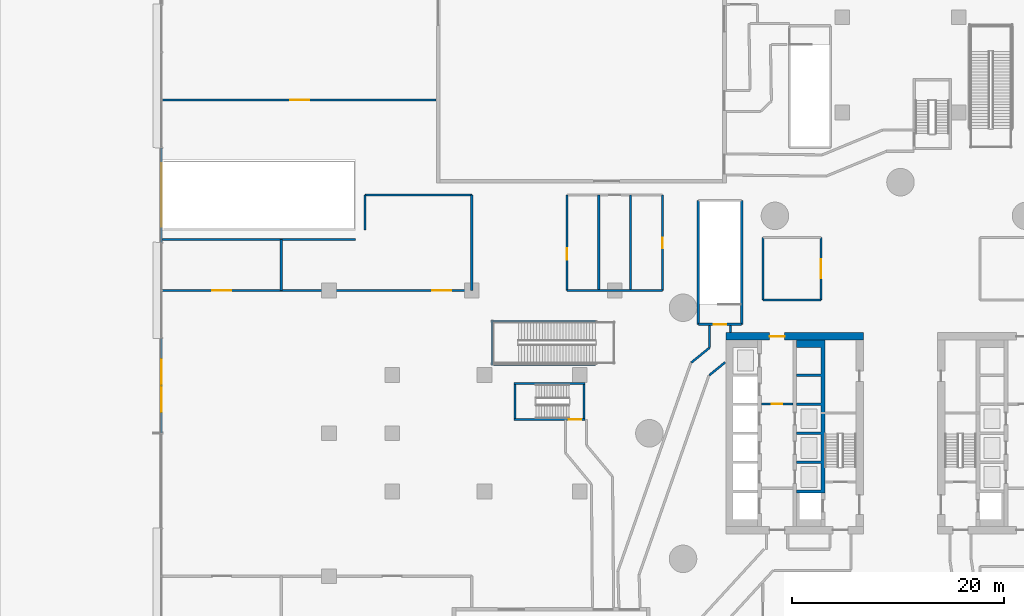
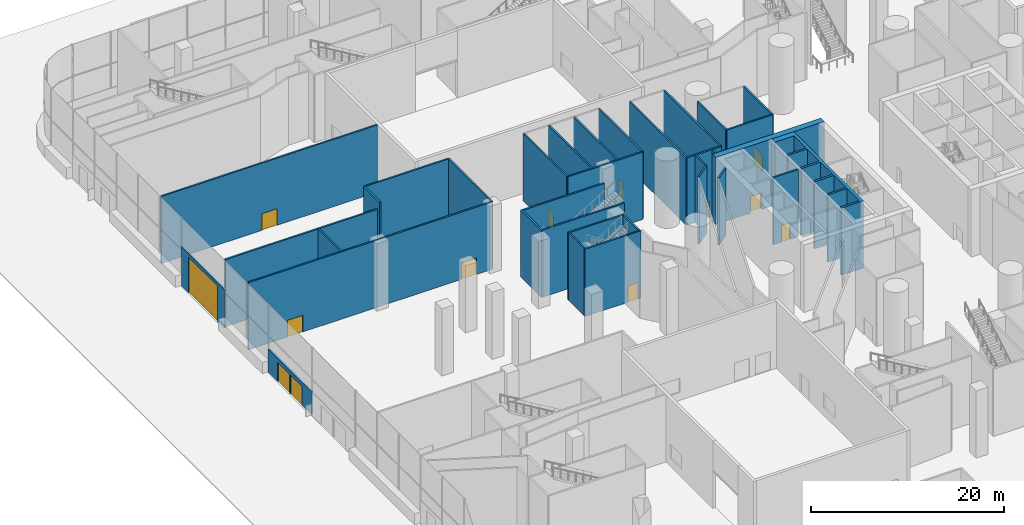
# One storey, part 27 of 54: 34 walls, 13 doors, 13 openings.
"""IFC4 building model written with IfcOpenShell, lengths in metres."""

from ifc_helpers import new_model, si_unit, direction, frame, frame_2d, origin, place, context, subcontext, project, spatial, polyline, rectangle, outline, extrude, material, layer, layer_set, type_object, element, fill, save


model = new_model("IFC4")

# Units and contexts
model_context = context("Model", 3, precision=1e-05, world=origin(), true_north=direction((0.0, 1.0)))
body_context = subcontext(model_context, "Body", "Model", "MODEL_VIEW")
ifc_project = project(units=[si_unit("LENGTHUNIT", "METRE"), si_unit("AREAUNIT", "SQUARE_METRE"), si_unit("VOLUMEUNIT", "CUBIC_METRE"), si_unit("PLANEANGLEUNIT", "RADIAN"), si_unit("MASSUNIT", "GRAM", prefix="KILO")], contexts=[model_context])

# Site, building, storey
site_placement = place(None, origin())
site = spatial("IfcSite", under=ifc_project, at=site_placement, CompositionType="ELEMENT")
building_placement = place(site_placement, origin())
building = spatial("IfcBuilding", under=site, at=building_placement, Name="Tamarind Cross Interchange Tower", CompositionType="ELEMENT")
storey_placement = place(building_placement, origin())
storey = spatial("IfcBuildingStorey", under=building, at=storey_placement, Name="L00", CompositionType="ELEMENT", Elevation=0.0)

# Wall, opening, door
ifc_material_1 = material(Name="Concrete C80", Category="concrete")
ifc_layer_1 = layer(ifc_material_1, 0.699951171875)
ifc_layer_set_1 = layer_set([ifc_layer_1], Name="Concrete C80")
wall_type_1 = type_object("IfcWallType", Name="Core wall 700 mm Concrete C80", PredefinedType="SHEAR", material=ifc_layer_set_1)
wall_1_placement = place(storey_placement, frame((-16.5, 9.14990234375, 0.0), z_axis=(0.0, 0.0, 1.0), x_axis=(1.0, 0.0, 0.0)))
wall_1 = element("IfcWall", 1, at=wall_1_placement, inside=storey, type_object=wall_type_1, Name="Core wall CWL-L00-W-N", PredefinedType="SHEAR", context=body_context, shape_type="SweptSolid", body=[
    extrude(rectangle(XDim=13.0, YDim=0.699951171875, at=frame_2d((6.5, 0.0))), origin(), (0.0, 0.0, 1.0), 8.5),
])
opening_1_placement = place(wall_1_placement, frame((4.14990234375, 0.0, 0.0)))
opening_1 = element("IfcOpeningElement", 2, at=opening_1_placement, cuts=wall_1, Name="Opening DCW3", PredefinedType="OPENING", context=body_context, shape_type="SweptSolid", body=[
    extrude(rectangle(XDim=1.39990234375, YDim=2.10009765625, at=frame_2d((0.699951171875, 1.050048828125))), frame((0.0, 0.35986328125, 0.0), z_axis=(0.0, -1.0, 0.0), x_axis=(1.0, 0.0, 0.0)), (0.0, 0.0, 1.0), 0.719970703125),
])
ifc_material_2 = material(Name="Steel, fire-resisting", Category="steel")
door_type_1 = type_object("IfcDoorType", Name="Core fire door 1400 x 2100 FD90", OperationType="SINGLE_SWING_LEFT", PredefinedType="DOOR", material=ifc_material_2)
door_1_placement = place(opening_1_placement, origin())
door_1 = element("IfcDoor", 3, at=door_1_placement, inside=storey, type_object=door_type_1, Name="L00 observation lobby door", OperationType="SINGLE_SWING_LEFT", OverallHeight=2.10009765625, OverallWidth=1.39990234375, PredefinedType="DOOR", context=body_context, shape_type="SweptSolid", body=[
    extrude(rectangle(XDim=1.39990234375, YDim=2.10009765625, at=frame_2d((0.699951171875, 1.050048828125))), frame((0.0, 0.02490234375, 0.0), z_axis=(0.0, -1.0, 0.0), x_axis=(1.0, 0.0, 0.0)), (0.0, 0.0, 1.0), 0.050048828125),
])
fill(opening_1, door_1)

# Wall
ifc_layer_2 = layer(ifc_material_1, 0.35009765625)
ifc_layer_set_2 = layer_set([ifc_layer_2], Name="Concrete C80")
wall_type_2 = type_object("IfcWallType", Name="Core web wall 350 mm Concrete C80", PredefinedType="SHEAR", material=ifc_layer_set_2)
wall_2_placement = place(storey_placement, origin())
element("IfcWall", 4, at=wall_2_placement, inside=storey, type_object=wall_type_2, Name="Core wall CWL-L00-W-BN", PredefinedType="SHEAR", context=body_context, shape_type="SweptSolid", body=[
    extrude(outline(polyline([(-9.800048828125, -5.375), (-9.800048828125, -5.625), (-7.5, -5.625), (-7.14990234375, -5.625), (-7.14990234375, 8.800048828125), (-7.5, 8.800048828125), (-9.800048828125, 8.800048828125), (-9.800048828125, 8.125), (-7.5, 8.125), (-7.5, 5.625), (-9.800048828125, 5.625), (-9.800048828125, 5.375), (-7.5, 5.375), (-7.5, 2.875), (-9.800048828125, 2.875), (-9.800048828125, 2.625), (-7.5, 2.625), (-7.5, 0.125), (-9.800048828125, 0.125), (-9.800048828125, -0.125), (-7.5, -0.125), (-7.5, -2.625), (-9.800048828125, -2.625), (-9.800048828125, -2.875), (-7.5, -2.875), (-7.5, -5.375), (-9.800048828125, -5.375)])), origin(), (0.0, 0.0, 1.0), 8.5),
])

# Wall, openings, doors
ifc_material_3 = material(Name="Masonry partition, fire-rated", Category="masonry")
ifc_layer_3 = layer(ifc_material_3, 0.199951171875)
ifc_layer_set_3 = layer_set([ifc_layer_3], Name="Masonry partition, fire-rated")
wall_type_3 = type_object("IfcWallType", Name="Fire partition 200 EI 120", PredefinedType="PARTITIONING", material=ifc_layer_set_3)
wall_3_placement = place(storey_placement, frame((-69.698974609375, 13.5, 0.0), z_axis=(0.0, 0.0, 1.0), x_axis=(1.0, 0.0, 0.0)))
wall_3 = element("IfcWall", 5, at=wall_3_placement, inside=storey, type_object=wall_type_3, Name="L00 partition 63", PredefinedType="PARTITIONING", context=body_context, shape_type="SweptSolid", body=[
    extrude(rectangle(XDim=29.198974609375, YDim=0.199951171875, at=frame_2d((14.599609375, 0.0))), origin(), (0.0, 0.0, 1.0), 8.5),
])
opening_2_placement = place(wall_3_placement, frame((25.47412109375, 0.0, 0.0)))
opening_2 = element("IfcOpeningElement", 6, at=opening_2_placement, cuts=wall_3, Name="Opening DL00-21", PredefinedType="OPENING", context=body_context, shape_type="SweptSolid", body=[
    extrude(rectangle(XDim=1.800048828125, YDim=2.10009765625, at=frame_2d((0.89990234375, 1.050048828125))), frame((0.0, 0.10986328125, 0.0), z_axis=(0.0, -1.0, 0.0), x_axis=(1.0, 0.0, 0.0)), (0.0, 0.0, 1.0), 0.219970703125),
])
opening_3_placement = place(wall_3_placement, frame((4.698974609375, 0.0, 0.0)))
opening_3 = element("IfcOpeningElement", 7, at=opening_3_placement, cuts=wall_3, Name="Opening DL00-22", PredefinedType="OPENING", context=body_context, shape_type="SweptSolid", body=[
    extrude(rectangle(XDim=1.800048828125, YDim=2.10009765625, at=frame_2d((0.89990234375, 1.050048828125))), frame((0.0, 0.10986328125, 0.0), z_axis=(0.0, -1.0, 0.0), x_axis=(1.0, 0.0, 0.0)), (0.0, 0.0, 1.0), 0.219970703125),
])
door_type_2 = type_object("IfcDoorType", Name="Podium door 1800 x 2100 FD60", OperationType="SINGLE_SWING_LEFT", PredefinedType="DOOR", material=ifc_material_2)
door_2_placement = place(opening_2_placement, origin())
door_2 = element("IfcDoor", 8, at=door_2_placement, inside=storey, type_object=door_type_2, Name="L00 door Bakery 0004", OperationType="SINGLE_SWING_LEFT", OverallHeight=2.10009765625, OverallWidth=1.800048828125, PredefinedType="DOOR", context=body_context, shape_type="SweptSolid", body=[
    extrude(rectangle(XDim=1.800048828125, YDim=2.10009765625, at=frame_2d((0.89990234375, 1.050048828125))), frame((0.0, 0.02490234375, 0.0), z_axis=(0.0, -1.0, 0.0), x_axis=(1.0, 0.0, 0.0)), (0.0, 0.0, 1.0), 0.050048828125),
])
fill(opening_2, door_2)
door_3_placement = place(opening_3_placement, origin())
door_3 = element("IfcDoor", 9, at=door_3_placement, inside=storey, type_object=door_type_2, Name="L00 door Phone Shop 0005", OperationType="SINGLE_SWING_RIGHT", OverallHeight=2.10009765625, OverallWidth=1.800048828125, PredefinedType="DOOR", context=body_context, shape_type="SweptSolid", body=[
    extrude(rectangle(XDim=1.800048828125, YDim=2.10009765625, at=frame_2d((0.89990234375, 1.050048828125))), frame((0.0, 0.02490234375, 0.0), z_axis=(0.0, -1.0, 0.0), x_axis=(1.0, 0.0, 0.0)), (0.0, 0.0, 1.0), 0.050048828125),
])
fill(opening_3, door_3)

# Wall
wall_4_placement = place(storey_placement, frame((-69.698974609375, 18.300048828125, 0.0), z_axis=(0.0, 0.0, 1.0), x_axis=(1.0, 0.0, 0.0)))
element("IfcWall", 10, at=wall_4_placement, inside=storey, type_object=wall_type_3, Name="L00 partition 64", PredefinedType="PARTITIONING", context=body_context, shape_type="SweptSolid", body=[
    extrude(rectangle(XDim=18.198974609375, YDim=0.199951171875, at=frame_2d((9.099609375, 0.0))), origin(), (0.0, 0.0, 1.0), 8.5),
])

# Wall, opening, door
wall_5_placement = place(storey_placement, frame((-69.698974609375, 31.5, 0.0), z_axis=(0.0, 0.0, 1.0), x_axis=(1.0, 0.0, 0.0)))
wall_5 = element("IfcWall", 11, at=wall_5_placement, inside=storey, type_object=wall_type_3, Name="L00 partition 65", PredefinedType="PARTITIONING", context=body_context, shape_type="SweptSolid", body=[
    extrude(rectangle(XDim=25.819091796875, YDim=0.199951171875, at=frame_2d((12.90966796875, 0.0))), origin(), (0.0, 0.0, 1.0), 8.5),
])
opening_4_placement = place(wall_5_placement, frame((12.033935546875, 0.0, 0.0)))
opening_4 = element("IfcOpeningElement", 12, at=opening_4_placement, cuts=wall_5, Name="Opening DL00-23", PredefinedType="OPENING", context=body_context, shape_type="SweptSolid", body=[
    extrude(rectangle(XDim=1.800048828125, YDim=2.10009765625, at=frame_2d((0.89990234375, 1.050048828125))), frame((0.0, 0.10986328125, 0.0), z_axis=(0.0, -1.0, 0.0), x_axis=(1.0, 0.0, 0.0)), (0.0, 0.0, 1.0), 0.219970703125),
])
door_4_placement = place(opening_4_placement, origin())
door_4 = element("IfcDoor", 13, at=door_4_placement, inside=storey, type_object=door_type_2, Name="L00 door Newsagent 0007", OperationType="SINGLE_SWING_LEFT", OverallHeight=2.10009765625, OverallWidth=1.800048828125, PredefinedType="DOOR", context=body_context, shape_type="SweptSolid", body=[
    extrude(rectangle(XDim=1.800048828125, YDim=2.10009765625, at=frame_2d((0.89990234375, 1.050048828125))), frame((0.0, 0.02490234375, 0.0), z_axis=(0.0, -1.0, 0.0), x_axis=(1.0, 0.0, 0.0)), (0.0, 0.0, 1.0), 0.050048828125),
])
fill(opening_4, door_4)

# Walls
wall_6_placement = place(storey_placement, frame((-50.60009765625, 19.199951171875, 0.0), z_axis=(0.0, 0.0, 1.0), x_axis=(0.0, 1.0, 0.0)))
element("IfcWall", 14, at=wall_6_placement, inside=storey, type_object=wall_type_3, Name="L00 partition 69", PredefinedType="PARTITIONING", context=body_context, shape_type="SweptSolid", body=[
    extrude(rectangle(XDim=3.300048828125, YDim=0.199951171875, at=frame_2d((1.64990234375, 0.0))), origin(), (0.0, 0.0, 1.0), 8.5),
])
wall_7_placement = place(storey_placement, frame((-50.60009765625, 22.5, 0.0), z_axis=(0.0, 0.0, 1.0), x_axis=(1.0, 0.0, 0.0)))
element("IfcWall", 15, at=wall_7_placement, inside=storey, type_object=wall_type_3, Name="L00 partition 70", PredefinedType="PARTITIONING", context=body_context, shape_type="SweptSolid", body=[
    extrude(rectangle(XDim=10.10009765625, YDim=0.199951171875, at=frame_2d((5.050048828125, 0.0))), origin(), (0.0, 0.0, 1.0), 8.5),
])
wall_8_placement = place(storey_placement, frame((-40.5, 13.5, 0.0), z_axis=(0.0, 0.0, 1.0), x_axis=(0.0, 1.0, 0.0)))
element("IfcWall", 16, at=wall_8_placement, inside=storey, type_object=wall_type_3, Name="L00 partition 71", PredefinedType="PARTITIONING", context=body_context, shape_type="SweptSolid", body=[
    extrude(rectangle(XDim=9.0, YDim=0.199951171875, at=frame_2d((4.5, 0.0))), origin(), (0.0, 0.0, 1.0), 8.5),
])
wall_9_placement = place(storey_placement, frame((-58.5, 13.5, 0.0), z_axis=(0.0, 0.0, 1.0), x_axis=(0.0, 1.0, 0.0)))
element("IfcWall", 17, at=wall_9_placement, inside=storey, type_object=wall_type_3, Name="L00 partition 72", PredefinedType="PARTITIONING", context=body_context, shape_type="SweptSolid", body=[
    extrude(rectangle(XDim=4.800048828125, YDim=0.199951171875, at=frame_2d((2.39990234375, 0.0))), origin(), (0.0, 0.0, 1.0), 8.5),
])
ifc_layer_4 = layer(ifc_material_3, 0.199951171875)
ifc_layer_set_4 = layer_set([ifc_layer_4], Name="Masonry partition, fire-rated")
wall_type_4 = type_object("IfcWallType", Name="Fire partition 200 EI 90", PredefinedType="PARTITIONING", material=ifc_layer_set_4)
for number, where, z_axis, x_axis, name in (
    (18, (-31.5, 13.5, 0.0), (0.0, 0.0, 1.0), (1.0, 0.0, 0.0), "L00 partition 82"),
    (19, (-28.5, 13.5, 0.0), (0.0, 0.0, 1.0), (0.0, 1.0, 0.0), "L00 partition 83"),
):
    element("IfcWall", number, at=place(storey_placement, frame(where, z_axis=z_axis, x_axis=x_axis)), inside=storey, type_object=wall_type_4, Name=name, PredefinedType="PARTITIONING", context=body_context, shape_type="SweptSolid", body=[
        extrude(rectangle(XDim=9.0, YDim=0.199951171875, at=frame_2d((4.5, 0.0))), origin(), (0.0, 0.0, 1.0), 8.5),
    ])

# Wall, opening, door
wall_10_placement = place(storey_placement, frame((-31.5, 13.5, 0.0), z_axis=(0.0, 0.0, 1.0), x_axis=(0.0, 1.0, 0.0)))
wall_10 = element("IfcWall", 20, at=wall_10_placement, inside=storey, type_object=wall_type_4, Name="L00 partition 84", PredefinedType="PARTITIONING", context=body_context, shape_type="SweptSolid", body=[
    extrude(rectangle(XDim=9.0, YDim=0.199951171875, at=frame_2d((4.5, 0.0))), origin(), (0.0, 0.0, 1.0), 8.5),
])
opening_5_placement = place(wall_10_placement, frame((2.87744140625, 0.0, 0.0)))
opening_5 = element("IfcOpeningElement", 21, at=opening_5_placement, cuts=wall_10, Name="Opening DL00-20", PredefinedType="OPENING", context=body_context, shape_type="SweptSolid", body=[
    extrude(rectangle(XDim=1.10009765625, YDim=2.10009765625, at=frame_2d((0.550048828125, 1.050048828125))), frame((0.0, 0.10986328125, 0.0), z_axis=(0.0, -1.0, 0.0), x_axis=(1.0, 0.0, 0.0)), (0.0, 0.0, 1.0), 0.219970703125),
])
door_type_3 = type_object("IfcDoorType", Name="Podium door 1100 x 2100 FD60", OperationType="SINGLE_SWING_LEFT", PredefinedType="DOOR", material=ifc_material_2)
door_5_placement = place(opening_5_placement, origin())
door_5 = element("IfcDoor", 22, at=door_5_placement, inside=storey, type_object=door_type_3, Name="L00 door Accessible Toilet L00NW", OperationType="SINGLE_SWING_RIGHT", OverallHeight=2.10009765625, OverallWidth=1.10009765625, PredefinedType="DOOR", context=body_context, shape_type="SweptSolid", body=[
    extrude(rectangle(XDim=1.10009765625, YDim=2.10009765625, at=frame_2d((0.550048828125, 1.050048828125))), frame((0.0, 0.02490234375, 0.0), z_axis=(0.0, -1.0, 0.0), x_axis=(1.0, 0.0, 0.0)), (0.0, 0.0, 1.0), 0.050048828125),
])
fill(opening_5, door_5)

wall_11_placement = place(storey_placement, frame((-22.5, 13.5, 0.0), z_axis=(0.0, 0.0, 1.0), x_axis=(0.0, 1.0, 0.0)))
wall_11 = element("IfcWall", 23, at=wall_11_placement, inside=storey, type_object=wall_type_4, Name="L00 partition 89", PredefinedType="PARTITIONING", context=body_context, shape_type="SweptSolid", body=[
    extrude(rectangle(XDim=9.0, YDim=0.199951171875, at=frame_2d((4.5, 0.0))), origin(), (0.0, 0.0, 1.0), 8.5),
])
opening_6_placement = place(wall_11_placement, frame((3.989990234375, 0.0, 0.0)))
opening_6 = element("IfcOpeningElement", 24, at=opening_6_placement, cuts=wall_11, Name="Opening DL00-18", PredefinedType="OPENING", context=body_context, shape_type="SweptSolid", body=[
    extrude(rectangle(XDim=1.0, YDim=2.10009765625, at=frame_2d((0.5, 1.050048828125))), frame((0.0, 0.10986328125, 0.0), z_axis=(0.0, -1.0, 0.0), x_axis=(1.0, 0.0, 0.0)), (0.0, 0.0, 1.0), 0.219970703125),
])
door_type_4 = type_object("IfcDoorType", Name="Podium door 1000 x 2100 FD60", OperationType="SINGLE_SWING_LEFT", PredefinedType="DOOR", material=ifc_material_2)
door_6_placement = place(opening_6_placement, origin())
door_6 = element("IfcDoor", 25, at=door_6_placement, inside=storey, type_object=door_type_4, Name="L00 door Women's Toilets L00NW", OperationType="SINGLE_SWING_RIGHT", OverallHeight=2.10009765625, OverallWidth=1.0, PredefinedType="DOOR", context=body_context, shape_type="SweptSolid", body=[
    extrude(rectangle(XDim=1.0, YDim=2.10009765625, at=frame_2d((0.5, 1.050048828125))), frame((0.0, 0.02490234375, 0.0), z_axis=(0.0, -1.0, 0.0), x_axis=(1.0, 0.0, 0.0)), (0.0, 0.0, 1.0), 0.050048828125),
])
fill(opening_6, door_6)

# Wall
wall_12_placement = place(storey_placement, frame((-25.5, 13.5, 0.0), z_axis=(0.0, 0.0, 1.0), x_axis=(0.0, 1.0, 0.0)))
element("IfcWall", 26, at=wall_12_placement, inside=storey, type_object=wall_type_4, Name="L00 partition 90", PredefinedType="PARTITIONING", context=body_context, shape_type="SweptSolid", body=[
    extrude(rectangle(XDim=9.0, YDim=0.199951171875, at=frame_2d((4.5, 0.0))), origin(), (0.0, 0.0, 1.0), 8.5),
])

# Wall, opening, door
wall_13_placement = place(storey_placement, frame((-7.5, 12.60009765625, 0.0), z_axis=(0.0, 0.0, 1.0), x_axis=(0.0, 1.0, 0.0)))
wall_13 = element("IfcWall", 27, at=wall_13_placement, inside=storey, type_object=wall_type_4, Name="L00 partition 104", PredefinedType="PARTITIONING", context=body_context, shape_type="SweptSolid", body=[
    extrude(rectangle(XDim=5.89990234375, YDim=0.199951171875, at=frame_2d((2.949951171875, 0.0))), origin(), (0.0, 0.0, 1.0), 8.5),
])
opening_7_placement = place(wall_13_placement, frame((2.050048828125, 0.0, 0.0)))
opening_7 = element("IfcOpeningElement", 28, at=opening_7_placement, cuts=wall_13, Name="Opening DL00-33", PredefinedType="OPENING", context=body_context, shape_type="SweptSolid", body=[
    extrude(rectangle(XDim=1.800048828125, YDim=2.10009765625, at=frame_2d((0.89990234375, 1.050048828125))), frame((0.0, 0.10986328125, 0.0), z_axis=(0.0, -1.0, 0.0), x_axis=(1.0, 0.0, 0.0)), (0.0, 0.0, 1.0), 0.219970703125),
])
door_7_placement = place(opening_7_placement, origin())
door_7 = element("IfcDoor", 29, at=door_7_placement, inside=storey, type_object=door_type_2, Name="L00 door Office Tower Lobby", OperationType="SINGLE_SWING_LEFT", OverallHeight=2.10009765625, OverallWidth=1.800048828125, PredefinedType="DOOR", context=body_context, shape_type="SweptSolid", body=[
    extrude(rectangle(XDim=1.800048828125, YDim=2.10009765625, at=frame_2d((0.89990234375, 1.050048828125))), frame((0.0, 0.02490234375, 0.0), z_axis=(0.0, -1.0, 0.0), x_axis=(1.0, 0.0, 0.0)), (0.0, 0.0, 1.0), 0.050048828125),
])
fill(opening_7, door_7)

# Walls
wall_14_placement = place(storey_placement, frame((-13.0, 12.60009765625, 0.0), z_axis=(0.0, 0.0, 1.0), x_axis=(1.0, 0.0, 0.0)))
element("IfcWall", 30, at=wall_14_placement, inside=storey, type_object=wall_type_4, Name="L00 partition 105", PredefinedType="PARTITIONING", context=body_context, shape_type="SweptSolid", body=[
    extrude(rectangle(XDim=5.5, YDim=0.199951171875, at=frame_2d((2.75, 0.0))), origin(), (0.0, 0.0, 1.0), 8.5),
])
wall_15_placement = place(storey_placement, frame((-13.0, 12.60009765625, 0.0), z_axis=(0.0, 0.0, 1.0), x_axis=(0.0, 1.0, 0.0)))
element("IfcWall", 31, at=wall_15_placement, inside=storey, type_object=wall_type_4, Name="L00 partition 106", PredefinedType="PARTITIONING", context=body_context, shape_type="SweptSolid", body=[
    extrude(rectangle(XDim=5.89990234375, YDim=0.199951171875, at=frame_2d((2.949951171875, 0.0))), origin(), (0.0, 0.0, 1.0), 8.5),
])

# Wall, opening, door
ifc_material_4 = material(Name="Precast concrete C40", Category="concrete")
ifc_layer_5 = layer(ifc_material_4, 0.35009765625)
ifc_layer_set_5 = layer_set([ifc_layer_5], Name="Precast concrete C40")
wall_type_5 = type_object("IfcWallType", Name="Podium facade wall", PredefinedType="SOLIDWALL", material=ifc_layer_set_5)
wall_16_placement = place(storey_placement, frame((-69.800048828125, 26.9521484375, 0.0), z_axis=(0.0, 0.0, 1.0), x_axis=(0.0, -1.0, 0.0)))
wall_16 = element("IfcWall", 32, at=wall_16_placement, inside=storey, type_object=wall_type_5, Name="EXW-L00-04-D06", PredefinedType="SOLIDWALL", context=body_context, shape_type="SweptSolid", body=[
    extrude(rectangle(XDim=8.91748046875, YDim=0.199951171875, at=frame_2d((4.458740234375, 0.0))), origin(), (0.0, 0.0, 1.0), 4.89990234375),
])
opening_8_placement = place(wall_16_placement, frame((1.458740234375, 0.0, 0.0)))
opening_8 = element("IfcOpeningElement", 33, at=opening_8_placement, cuts=wall_16, Name="Opening D8", PredefinedType="OPENING", context=body_context, shape_type="SweptSolid", body=[
    extrude(rectangle(XDim=6.0, YDim=4.5, at=frame_2d((3.0, 2.25))), frame((0.0, 0.10986328125, 0.0), z_axis=(0.0, -1.0, 0.0), x_axis=(1.0, 0.0, 0.0)), (0.0, 0.0, 1.0), 0.219970703125),
])
ifc_material_5 = material(Name="Galvanised steel", Category="steel")
door_type_5 = type_object("IfcDoorType", Name="Vehicle roller shutter", OperationType="ROLLINGUP", PredefinedType="DOOR", material=ifc_material_5)
door_8_placement = place(opening_8_placement, origin())
door_8 = element("IfcDoor", 34, at=door_8_placement, inside=storey, type_object=door_type_5, Name="DOR-L00-04-06", OperationType="SINGLE_SWING_LEFT", OverallHeight=4.5, OverallWidth=6.0, PredefinedType="DOOR", context=body_context, shape_type="SweptSolid", body=[
    extrude(rectangle(XDim=6.0, YDim=4.5, at=frame_2d((3.0, 2.25))), frame((0.0, 0.02490234375, 0.0), z_axis=(0.0, -1.0, 0.0), x_axis=(1.0, 0.0, 0.0)), (0.0, 0.0, 1.0), 0.050048828125),
])
fill(opening_8, door_8)

# Wall, openings, doors
wall_17_placement = place(storey_placement, frame((-69.800048828125, 8.957275390625, 0.0), z_axis=(0.0, 0.0, 1.0), x_axis=(0.0, -1.0, 0.0)))
wall_17 = element("IfcWall", 35, at=wall_17_placement, inside=storey, type_object=wall_type_5, Name="EXW-L00-04-D10", PredefinedType="SOLIDWALL", context=body_context, shape_type="SweptSolid", body=[
    extrude(rectangle(XDim=8.917236328125, YDim=0.199951171875, at=frame_2d((4.45849609375, 0.0))), origin(), (0.0, 0.0, 1.0), 2.89990234375),
])
opening_9_placement = place(wall_17_placement, frame((1.958740234375, 0.0, 0.0)))
opening_9 = element("IfcOpeningElement", 36, at=opening_9_placement, cuts=wall_17, Name="Opening D1", PredefinedType="OPENING", context=body_context, shape_type="SweptSolid", body=[
    extrude(rectangle(XDim=2.39990234375, YDim=2.39990234375, at=frame_2d((1.199951171875, 1.199951171875))), frame((0.0, 0.10986328125, 0.0), z_axis=(0.0, -1.0, 0.0), x_axis=(1.0, 0.0, 0.0)), (0.0, 0.0, 1.0), 0.219970703125),
])
opening_10_placement = place(wall_17_placement, frame((4.55859375, 0.0, 0.0)))
opening_10 = element("IfcOpeningElement", 37, at=opening_10_placement, cuts=wall_17, Name="Opening D1", PredefinedType="OPENING", context=body_context, shape_type="SweptSolid", body=[
    extrude(rectangle(XDim=2.39990234375, YDim=2.39990234375, at=frame_2d((1.199951171875, 1.199951171875))), frame((0.0, 0.10986328125, 0.0), z_axis=(0.0, -1.0, 0.0), x_axis=(1.0, 0.0, 0.0)), (0.0, 0.0, 1.0), 0.219970703125),
])
ifc_material_6 = material(Name="Toughened glass and aluminium", Category="aluminium")
door_type_6 = type_object("IfcDoorType", Name="Station entrance door", OperationType="DOUBLE_DOOR_DOUBLE_SWING", PredefinedType="DOOR", material=ifc_material_6)
door_9_placement = place(opening_9_placement, frame((2.39990234375, 0.0, 0.0), z_axis=(0.0, 0.0, 1.0), x_axis=(-1.0, 0.0, 0.0)))
door_9 = element("IfcDoor", 38, at=door_9_placement, inside=storey, type_object=door_type_6, Name="DOR-L00-04-10A", OperationType="DOUBLE_DOOR_DOUBLE_SWING", OverallHeight=2.39990234375, OverallWidth=2.39990234375, PredefinedType="DOOR", context=body_context, shape_type="SweptSolid", body=[
    extrude(rectangle(XDim=2.39990234375, YDim=2.39990234375, at=frame_2d((1.199951171875, 1.199951171875))), frame((0.0, 0.02490234375, 0.0), z_axis=(0.0, -1.0, 0.0), x_axis=(1.0, 0.0, 0.0)), (0.0, 0.0, 1.0), 0.050048828125),
])
fill(opening_9, door_9)
door_10_placement = place(opening_10_placement, frame((2.39990234375, 0.0, 0.0), z_axis=(0.0, 0.0, 1.0), x_axis=(-1.0, 0.0, 0.0)))
door_10 = element("IfcDoor", 39, at=door_10_placement, inside=storey, type_object=door_type_6, Name="DOR-L00-04-10B", OperationType="DOUBLE_DOOR_DOUBLE_SWING", OverallHeight=2.39990234375, OverallWidth=2.39990234375, PredefinedType="DOOR", context=body_context, shape_type="SweptSolid", body=[
    extrude(rectangle(XDim=2.39990234375, YDim=2.39990234375, at=frame_2d((1.199951171875, 1.199951171875))), frame((0.0, 0.02490234375, 0.0), z_axis=(0.0, -1.0, 0.0), x_axis=(1.0, 0.0, 0.0)), (0.0, 0.0, 1.0), 0.050048828125),
])
fill(opening_10, door_10)

# Walls
ifc_material_7 = material(Name="Concrete C40", Category="concrete")
ifc_layer_6 = layer(ifc_material_7, 0.199951171875)
ifc_layer_set_6 = layer_set([ifc_layer_6], Name="Concrete C40")
wall_type_6 = type_object("IfcWallType", Name="Protected passage wall 200 EI 180", PredefinedType="PARTITIONING", material=ifc_layer_set_6)
wall_18_placement = place(storey_placement, frame((-16.050048828125, 10.179931640625, 0.0), z_axis=(0.0, 0.0, 1.0), x_axis=(0.0, -1.0, 0.0)))
element("IfcWall", 40, at=wall_18_placement, inside=storey, type_object=wall_type_6, Name="L00 passage wall 233", PredefinedType="PARTITIONING", context=body_context, shape_type="SweptSolid", body=[
    extrude(rectangle(XDim=0.679931640625, YDim=0.199951171875, at=frame_2d((0.33984375, 0.0))), origin(), (0.0, 0.0, 1.0), 8.5),
])
wall_19_placement = place(storey_placement, frame((-16.569580078125, 6.701171875, 0.0), z_axis=(0.0, 0.0, 1.0), x_axis=(-0.774917348383, -0.632062578527, 0.0)))
element("IfcWall", 41, at=wall_19_placement, inside=storey, type_object=wall_type_6, Name="L00 passage wall 234", PredefinedType="PARTITIONING", context=body_context, shape_type="SweptSolid", body=[
    extrude(rectangle(XDim=1.92431640625, YDim=0.199951171875, at=frame_2d((0.962158203125, 0.0))), origin(), (0.0, 0.0, 1.0), 8.5),
])
wall_20_placement = place(storey_placement, frame((-18.050048828125, 10.179931640625, 0.0), z_axis=(0.0, 0.0, 1.0), x_axis=(0.0, -1.0, 0.0)))
element("IfcWall", 42, at=wall_20_placement, inside=storey, type_object=wall_type_6, Name="L00 passage wall 237", PredefinedType="PARTITIONING", context=body_context, shape_type="SweptSolid", body=[
    extrude(rectangle(XDim=2.05517578125, YDim=0.199951171875, at=frame_2d((1.027587890625, 0.0))), origin(), (0.0, 0.0, 1.0), 8.5),
])
wall_21_placement = place(storey_placement, frame((-18.050048828125, 8.07470703125, 0.0), z_axis=(0.0, 0.0, 1.0), x_axis=(-0.774892088392, -0.632093546358, 0.0)))
element("IfcWall", 43, at=wall_21_placement, inside=storey, type_object=wall_type_6, Name="L00 passage wall 238", PredefinedType="PARTITIONING", context=body_context, shape_type="SweptSolid", body=[
    extrude(rectangle(XDim=2.208984375, YDim=0.199951171875, at=frame_2d((1.1044921875, 0.0))), origin(), (0.0, 0.0, 1.0), 8.5),
])

# Wall, opening, door
ifc_layer_7 = layer(ifc_material_7, 0.199951171875)
ifc_layer_set_7 = layer_set([ifc_layer_7], Name="Concrete C40")
wall_type_7 = type_object("IfcWallType", Name="Shaft and lobby wall 200 mm Concrete C40", PredefinedType="PARTITIONING", material=ifc_layer_set_7)
wall_22_placement = place(storey_placement, frame((-13.14990234375, 2.75, 0.0), z_axis=(0.0, 0.0, 1.0), x_axis=(1.0, 0.0, 0.0)))
wall_22 = element("IfcWall", 44, at=wall_22_placement, inside=storey, type_object=wall_type_7, Name="Shaft wall CWL-L00-W-OBS", PredefinedType="PARTITIONING", context=body_context, shape_type="SweptSolid", body=[
    extrude(rectangle(XDim=3.0, YDim=0.199951171875, at=frame_2d((1.5, 0.0))), origin(), (0.0, 0.0, 1.0), 8.5),
])
opening_11_placement = place(wall_22_placement, frame((1.0, 0.0, 0.0)))
opening_11 = element("IfcOpeningElement", 45, at=opening_11_placement, cuts=wall_22, Name="Opening DCW32", PredefinedType="OPENING", context=body_context, shape_type="SweptSolid", body=[
    extrude(rectangle(XDim=1.0, YDim=2.10009765625, at=frame_2d((0.5, 1.050048828125))), frame((0.0, 0.10986328125, 0.0), z_axis=(0.0, -1.0, 0.0), x_axis=(1.0, 0.0, 0.0)), (0.0, 0.0, 1.0), 0.219970703125),
])
door_type_7 = type_object("IfcDoorType", Name="Core fire door 1000 x 2100 FD90", OperationType="SINGLE_SWING_LEFT", PredefinedType="DOOR", material=ifc_material_2)
door_11_placement = place(opening_11_placement, origin())
door_11 = element("IfcDoor", 46, at=door_11_placement, inside=storey, type_object=door_type_7, Name="L00 lift hall door to observation lobby", OperationType="SINGLE_SWING_LEFT", OverallHeight=2.10009765625, OverallWidth=1.0, PredefinedType="DOOR", context=body_context, shape_type="SweptSolid", body=[
    extrude(rectangle(XDim=1.0, YDim=2.10009765625, at=frame_2d((0.5, 1.050048828125))), frame((0.0, 0.02490234375, 0.0), z_axis=(0.0, -1.0, 0.0), x_axis=(1.0, 0.0, 0.0)), (0.0, 0.0, 1.0), 0.050048828125),
])
fill(opening_11, door_11)

# Walls
ifc_layer_8 = layer(ifc_material_7, 0.199951171875)
ifc_layer_set_8 = layer_set([ifc_layer_8], Name="Concrete C40")
wall_type_8 = type_object("IfcWallType", Name="Stair shaft wall 200", PredefinedType="SOLIDWALL", material=ifc_layer_set_8)
for number, where, z_axis, x_axis, name in (
    (47, (-28.800048828125, 10.60009765625, 0.0), (0.0, 0.0, 1.0), (-1.0, 0.0, 0.0), "public stair PS-W shaft wall L"),
    (48, (-28.800048828125, 6.5, 0.0), (0.0, 0.0, 1.0), (-1.0, 0.0, 0.0), "public stair PS-W shaft wall R"),
):
    element("IfcWall", number, at=place(storey_placement, frame(where, z_axis=z_axis, x_axis=x_axis)), inside=storey, type_object=wall_type_8, Name=name, PredefinedType="SOLIDWALL", context=body_context, shape_type="SweptSolid", body=[
        extrude(rectangle(XDim=9.699951171875, YDim=0.199951171875, at=frame_2d((4.85009765625, 0.0))), origin(), (0.0, 0.0, 1.0), 8.5),
    ])
wall_23_placement = place(storey_placement, frame((-38.60009765625, 10.699951171875, 0.0), z_axis=(0.0, 0.0, 1.0), x_axis=(0.0, -1.0, 0.0)))
element("IfcWall", 49, at=wall_23_placement, inside=storey, type_object=wall_type_8, Name="public stair PS-W shaft wall F", PredefinedType="SOLIDWALL", context=body_context, shape_type="SweptSolid", body=[
    extrude(rectangle(XDim=4.300048828125, YDim=0.199951171875, at=frame_2d((2.14990234375, 0.0))), origin(), (0.0, 0.0, 1.0), 8.5),
])
ifc_layer_9 = layer(ifc_material_7, 0.199951171875)
ifc_layer_set_9 = layer_set([ifc_layer_9], Name="Concrete C40")
wall_type_9 = type_object("IfcWallType", Name="Stair shaft wall 200 EI 180", PredefinedType="PARTITIONING", material=ifc_layer_set_9)
for number, where, z_axis, x_axis, name in (
    (50, (-19.10009765625, 10.300048828125, 0.0), (0.0, 0.0, 1.0), (0.0, 1.0, 0.0), "L00 stair shaft wall 21"),
    (51, (-15.0, 10.300048828125, 0.0), (0.0, 0.0, 1.0), (0.0, 1.0, 0.0), "L00 stair shaft wall 23"),
):
    element("IfcWall", number, at=place(storey_placement, frame(where, z_axis=z_axis, x_axis=x_axis)), inside=storey, type_object=wall_type_9, Name=name, PredefinedType="PARTITIONING", context=body_context, shape_type="SweptSolid", body=[
        extrude(rectangle(XDim=11.699951171875, YDim=0.199951171875, at=frame_2d((5.85009765625, 0.0))), origin(), (0.0, 0.0, 1.0), 8.5),
    ])

# Wall, opening, door
wall_24_placement = place(storey_placement, frame((-19.10009765625, 10.300048828125, 0.0), z_axis=(0.0, 0.0, 1.0), x_axis=(1.0, 0.0, 0.0)))
wall_24 = element("IfcWall", 52, at=wall_24_placement, inside=storey, type_object=wall_type_9, Name="L00 stair shaft wall 24", PredefinedType="PARTITIONING", context=body_context, shape_type="SweptSolid", body=[
    extrude(rectangle(XDim=4.10009765625, YDim=0.199951171875, at=frame_2d((2.050048828125, 0.0))), origin(), (0.0, 0.0, 1.0), 8.5),
])
opening_12_placement = place(wall_24_placement, frame((1.449951171875, 0.0, 0.0)))
opening_12 = element("IfcOpeningElement", 53, at=opening_12_placement, cuts=wall_24, Name="Opening DL00-01", PredefinedType="OPENING", context=body_context, shape_type="SweptSolid", body=[
    extrude(rectangle(XDim=1.199951171875, YDim=2.10009765625, at=frame_2d((0.60009765625, 1.050048828125))), frame((0.0, 0.10986328125, 0.0), z_axis=(0.0, -1.0, 0.0), x_axis=(1.0, 0.0, 0.0)), (0.0, 0.0, 1.0), 0.219970703125),
])
door_type_8 = type_object("IfcDoorType", Name="Podium door 1200 x 2100 FD90", OperationType="SINGLE_SWING_LEFT", PredefinedType="DOOR", material=ifc_material_2)
door_12_placement = place(opening_12_placement, origin())
door_12 = element("IfcDoor", 54, at=door_12_placement, inside=storey, type_object=door_type_8, Name="L00 door Car Park Exit Stair West", OperationType="SINGLE_SWING_LEFT", OverallHeight=2.10009765625, OverallWidth=1.199951171875, PredefinedType="DOOR", context=body_context, shape_type="SweptSolid", body=[
    extrude(rectangle(XDim=1.199951171875, YDim=2.10009765625, at=frame_2d((0.60009765625, 1.050048828125))), frame((0.0, 0.02490234375, 0.0), z_axis=(0.0, -1.0, 0.0), x_axis=(1.0, 0.0, 0.0)), (0.0, 0.0, 1.0), 0.050048828125),
])
fill(opening_12, door_12)

ifc_layer_10 = layer(ifc_material_7, 0.199951171875)
ifc_layer_set_10 = layer_set([ifc_layer_10], Name="Concrete C40")
wall_type_10 = type_object("IfcWallType", Name="Stair shaft wall 200 mm Concrete C40", PredefinedType="SHEAR", material=ifc_layer_set_10)
wall_25_placement = place(storey_placement, frame((-29.800048828125, 1.300048828125, 0.0), z_axis=(0.0, 0.0, 1.0), x_axis=(-1.0, 0.0, 0.0)))
wall_25 = element("IfcWall", 55, at=wall_25_placement, inside=storey, type_object=wall_type_10, Name="Core wall CWL-L00-ST5-H", PredefinedType="SHEAR", context=body_context, shape_type="SweptSolid", body=[
    extrude(rectangle(XDim=6.699951171875, YDim=0.199951171875, at=frame_2d((3.35009765625, 0.0))), origin(), (0.0, 0.0, 1.0), 8.5),
])
opening_13_placement = place(wall_25_placement, frame((0.35009765625, 0.0, 0.0)))
opening_13 = element("IfcOpeningElement", 56, at=opening_13_placement, cuts=wall_25, Name="Opening ST5L00", PredefinedType="OPENING", context=body_context, shape_type="SweptSolid", body=[
    extrude(rectangle(XDim=1.199951171875, YDim=2.10009765625, at=frame_2d((0.60009765625, 1.050048828125))), frame((0.0, 0.10986328125, 0.0), z_axis=(0.0, -1.0, 0.0), x_axis=(1.0, 0.0, 0.0)), (0.0, 0.0, 1.0), 0.219970703125),
])
door_type_9 = type_object("IfcDoorType", Name="Core fire door 1200 x 2100 FD90", OperationType="SINGLE_SWING_LEFT", PredefinedType="DOOR", material=ifc_material_2)
door_13_placement = place(opening_13_placement, origin())
door_13 = element("IfcDoor", 57, at=door_13_placement, inside=storey, type_object=door_type_9, Name="L00 stair door ST5", OperationType="SINGLE_SWING_LEFT", OverallHeight=2.10009765625, OverallWidth=1.199951171875, PredefinedType="DOOR", context=body_context, shape_type="SweptSolid", body=[
    extrude(rectangle(XDim=1.199951171875, YDim=2.10009765625, at=frame_2d((0.60009765625, 1.050048828125))), frame((0.0, 0.02490234375, 0.0), z_axis=(0.0, -1.0, 0.0), x_axis=(1.0, 0.0, 0.0)), (0.0, 0.0, 1.0), 0.050048828125),
])
fill(opening_13, door_13)

# Walls
wall_26_placement = place(storey_placement, frame((-29.800048828125, 4.699951171875, 0.0), z_axis=(0.0, 0.0, 1.0), x_axis=(-1.0, 0.0, 0.0)))
element("IfcWall", 58, at=wall_26_placement, inside=storey, type_object=wall_type_10, Name="Core wall CWL-L00-ST5-C", PredefinedType="SHEAR", context=body_context, shape_type="SweptSolid", body=[
    extrude(rectangle(XDim=6.699951171875, YDim=0.199951171875, at=frame_2d((3.35009765625, 0.0))), origin(), (0.0, 0.0, 1.0), 8.5),
])
wall_27_placement = place(storey_placement, frame((-29.89990234375, 4.60009765625, 0.0), z_axis=(0.0, 0.0, 1.0), x_axis=(0.0, -1.0, 0.0)))
element("IfcWall", 59, at=wall_27_placement, inside=storey, type_object=wall_type_10, Name="Core wall CWL-L00-ST5-CE", PredefinedType="SHEAR", context=body_context, shape_type="SweptSolid", body=[
    extrude(rectangle(XDim=3.2001953125, YDim=0.199951171875, at=frame_2d((1.60009765625, 0.0))), origin(), (0.0, 0.0, 1.0), 8.5),
])
wall_28_placement = place(storey_placement, origin())
element("IfcWall", 60, at=wall_28_placement, inside=storey, type_object=wall_type_10, Name="Core wall CWL-L00-ST5-CF", PredefinedType="SHEAR", context=body_context, shape_type="SweptSolid", body=[
    extrude(outline(polyline([(-36.300048828125, 4.60009765625), (-36.5, 4.60009765625), (-36.5, 1.39990234375), (-36.300048828125, 1.39990234375), (-36.300048828125, 4.60009765625)])), origin(), (0.0, 0.0, 1.0), 8.5),
])

save(model, "model.ifc")
